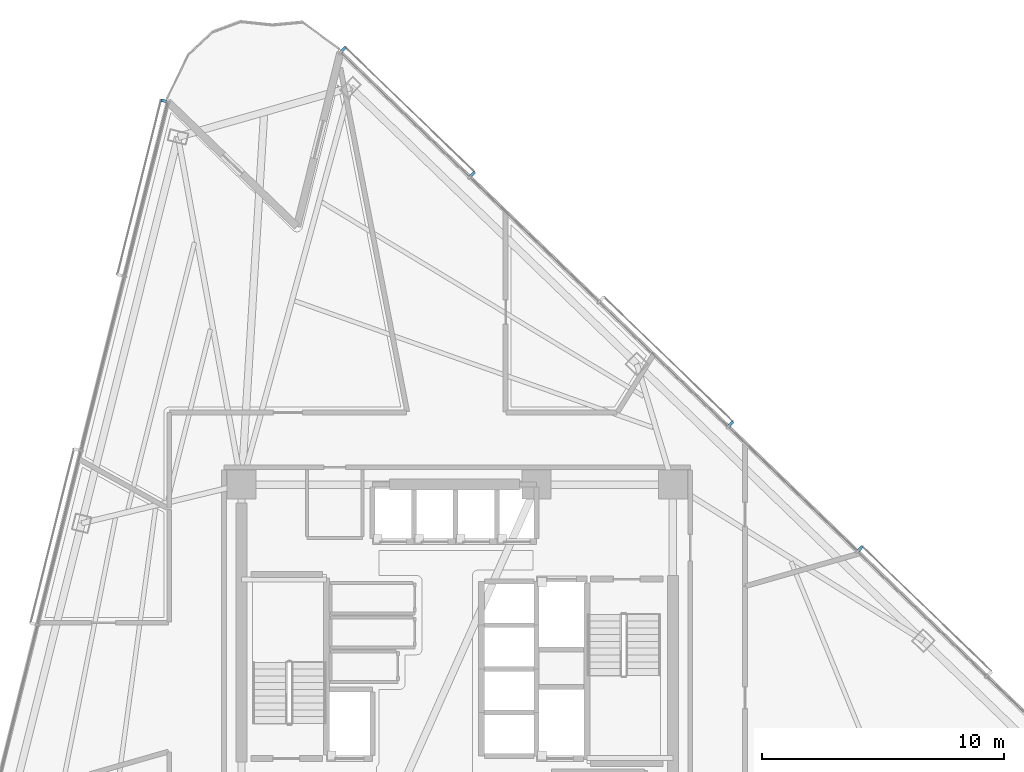
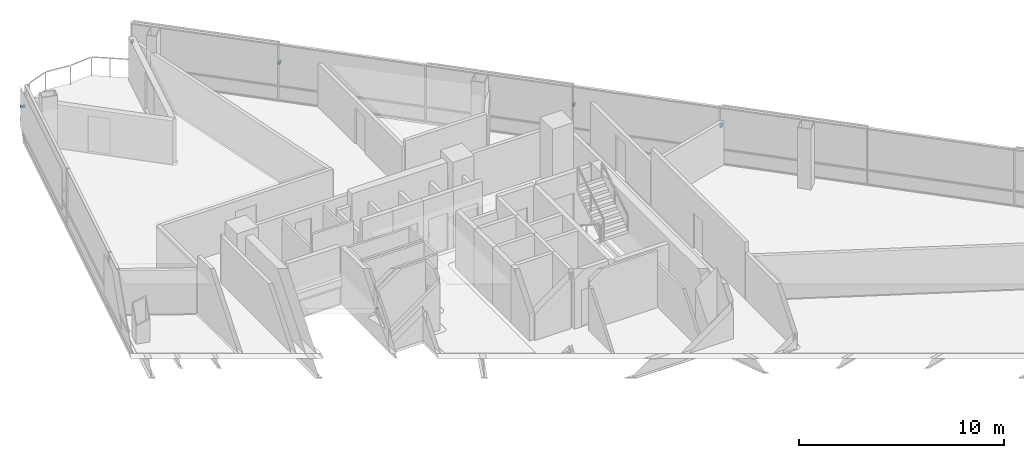
# One storey, part 14 of 17: 5 discrete accessories.
"""IFC4 building model written with IfcOpenShell, lengths in metres."""

from ifc_helpers import new_model, si_unit, direction, frame, origin, origin_2d, place, context, subcontext, project, spatial, rectangle, extrude, material, type_object, element, save


model = new_model("IFC4")

# Units and contexts
model_context = context("Model", 3, precision=1e-05, world=origin(), true_north=direction((0.0, 1.0)))
body_context = subcontext(model_context, "Body", "Model", "MODEL_VIEW")
ifc_project = project(units=[si_unit("LENGTHUNIT", "METRE"), si_unit("AREAUNIT", "SQUARE_METRE"), si_unit("VOLUMEUNIT", "CUBIC_METRE"), si_unit("PLANEANGLEUNIT", "RADIAN"), si_unit("MASSUNIT", "GRAM", prefix="KILO")], contexts=[model_context])

# Site, building, storey
site_placement = place(None, origin())
site = spatial("IfcSite", under=ifc_project, at=site_placement, CompositionType="ELEMENT")
building_placement = place(site_placement, origin())
building = spatial("IfcBuilding", under=site, at=building_placement, Name="Tharavind Bronze Gate", CompositionType="ELEMENT")
storey_placement = place(building_placement, frame((0.0, 0.0, 93.300048828125)))
storey = spatial("IfcBuildingStorey", under=building, at=storey_placement, Name="L23", CompositionType="ELEMENT", Elevation=93.300048828125)

# Discrete accessories
ifc_material = material(Name="Stainless Steel 316", Category="steel")
discrete_accessory_type = type_object("IfcDiscreteAccessoryType", Name="SOLAR SCREEN STANDOFF BRACKET", PredefinedType="BRACKET", material=ifc_material)
for number, where, z_axis, x_axis, name in (
    (1, (-12.1083984375, 23.437744140625, 2.094970703125), (0.0, 0.0, 1.0), (-0.2419218956, -0.970295726276, 0.0), "CW-L23-S1 solar screen bracket 1.1"),
    (2, (16.637939453125, 4.962158203125, 2.094970703125), (0.0, 0.0, 1.0), (-0.719341012745, 0.694657114973, 0.0), "CW-L23-S3 solar screen bracket 3.2"),
    (3, (11.3046875, 10.1123046875, 2.094970703125), (0.0, 0.0, 1.0), (-0.719341012745, 0.694657114973, 0.0), "CW-L23-S3 solar screen bracket 5.1"),
    (4, (0.637939453125, 20.4130859375, 2.094970703125), (0.0, 0.0, 1.0), (-0.719341012745, 0.694657114973, 0.0), "CW-L23-S3 solar screen bracket 7.1"),
    (5, (-4.6953125, 25.5634765625, 2.094970703125), (0.0, 0.0, 1.0), (-0.719341012745, 0.694657114973, 0.0), "CW-L23-S3 solar screen bracket 7.2"),
):
    element("IfcDiscreteAccessory", number, at=place(storey_placement, frame(where, z_axis=z_axis, x_axis=x_axis)), inside=storey, type_object=discrete_accessory_type, Name=name, PredefinedType="BRACKET", context=body_context, shape_type="SweptSolid", body=[
        extrude(rectangle(XDim=0.1201171875, YDim=0.239990234375, at=origin_2d()), origin(), (0.0, 0.0, 1.0), 0.1201171875),
    ])

save(model, "model.ifc")
